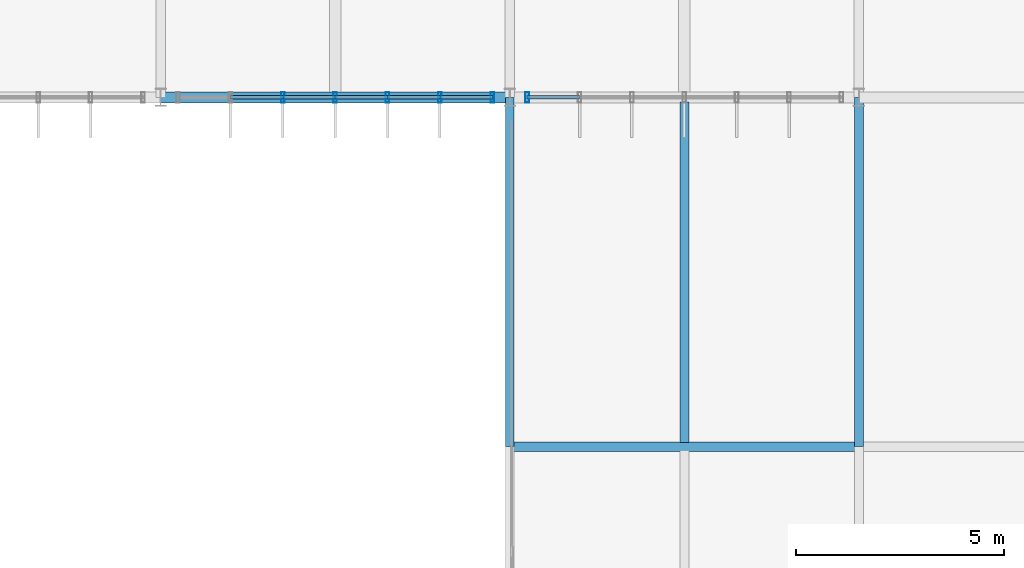
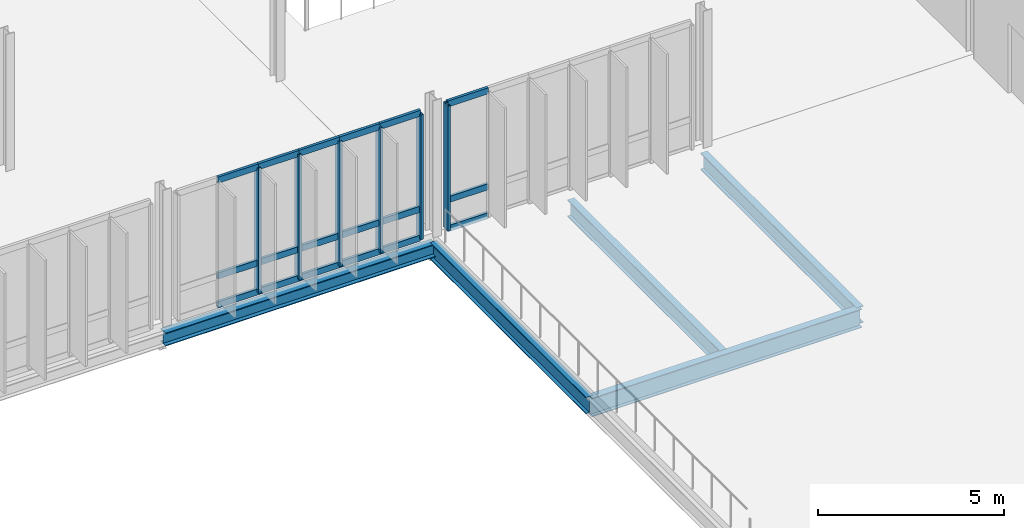
# One storey, part 22 of 139: 24 members, 5 beams, 2 elements without a shape of their own.
"""IFC4 building model written with IfcOpenShell, lengths in metres."""

from ifc_helpers import new_model, si_unit, derived_unit, direction, frame, origin, origin_2d, place, context, subcontext, project, spatial, hollow_rectangle, i_section, extrude, material, layer, layer_set, material_profile, profile_set, type_object, element, aggregate, save


model = new_model("IFC4")

# Units and contexts
model_context = context("Model", 3, precision=1e-05, world=origin(), true_north=direction((0.0, 1.0)))
body_context = subcontext(model_context, "Body", "Model", "MODEL_VIEW")
ifc_project = project(units=[si_unit("LENGTHUNIT", "METRE"), si_unit("AREAUNIT", "SQUARE_METRE"), si_unit("VOLUMEUNIT", "CUBIC_METRE"), si_unit("PLANEANGLEUNIT", "RADIAN"), si_unit("MASSUNIT", "GRAM", prefix="KILO"), derived_unit("THERMALTRANSMITTANCEUNIT", [(si_unit("MASSUNIT", "GRAM", prefix="KILO"), 1), (si_unit("TIMEUNIT", "SECOND"), -3), (si_unit("THERMODYNAMICTEMPERATUREUNIT", "KELVIN"), -1)])], contexts=[model_context])

# Site, building, storey
site_placement = place(None, origin())
site = spatial("IfcSite", under=ifc_project, at=site_placement, CompositionType="ELEMENT")
building_placement = place(site_placement, origin())
building = spatial("IfcBuilding", under=site, at=building_placement, Name="Makaiwela Harbour Ferry Terminal", CompositionType="ELEMENT")
storey_placement = place(building_placement, frame((0.0, 0.0, 5.10009765625)))
storey = spatial("IfcBuildingStorey", under=building, at=storey_placement, Name="L01", CompositionType="ELEMENT", Elevation=5.10009765625)

# Curtain wall, members
ifc_material_1 = material(Name="Marine anodised aluminium 6063-T6", Category="aluminium")
ifc_layer = layer(ifc_material_1, 0.199951171875)
ifc_layer_set = layer_set([ifc_layer], Name="Marine anodised aluminium 6063-T6")
curtain_wall_type = type_object("IfcCurtainWallType", Name="ENV-CW-08", PredefinedType="USERDEFINED", material=ifc_layer_set)
curtain_wall_1_placement = place(storey_placement, origin())
curtain_wall_1 = element("IfcCurtainWall", 1, at=curtain_wall_1_placement, inside=storey, type_object=curtain_wall_type, Name="Unitised Curtain Wall CWA-104", ObjectType="UNITIZED CURTAIN WALL", PredefinedType="USERDEFINED")
ifc_material_profile_1 = material_profile(ifc_material_1, hollow_rectangle(XDim=0.0849609375, YDim=0.25, WallThickness=0.0048828125, at=origin_2d()), Name="CWM-250X85")
ifc_profile_set_1 = profile_set([ifc_material_profile_1], Name="Marine anodised aluminium 6063-T6")
member_type_1 = type_object("IfcMemberType", Name="CW-MUL-250", PredefinedType="MULLION", material=ifc_profile_set_1)
member_1_placement = place(storey_placement, frame((54.179931640625, 25.199951171875, 0.0), z_axis=(0.0, 0.0, 1.0), x_axis=(1.0, 0.0, 0.0)))
member_1 = element("IfcMember", 2, at=member_1_placement, type_object=member_type_1, Name="Curtain Wall Mullion CWA-104-1", PredefinedType="MULLION", context=body_context, shape_type="SweptSolid", body=[
    extrude(hollow_rectangle(XDim=0.0849609375, YDim=0.25, WallThickness=0.0048828125, at=origin_2d()), origin(), (0.0, 0.0, 1.0), 4.099853515625),
])
member_2_placement = place(storey_placement, frame((52.919921875, 25.199951171875, 0.0), z_axis=(0.0, 0.0, 1.0), x_axis=(1.0, 0.0, 0.0)))
member_2 = element("IfcMember", 3, at=member_2_placement, type_object=member_type_1, Name="Curtain Wall Mullion CWA-104-2", PredefinedType="MULLION", context=body_context, shape_type="SweptSolid", body=[
    extrude(hollow_rectangle(XDim=0.0849609375, YDim=0.25, WallThickness=0.0048828125, at=origin_2d()), origin(), (0.0, 0.0, 1.0), 4.099853515625),
])
member_3_placement = place(storey_placement, frame((51.659912109375, 25.199951171875, 0.0), z_axis=(0.0, 0.0, 1.0), x_axis=(1.0, 0.0, 0.0)))
member_3 = element("IfcMember", 4, at=member_3_placement, type_object=member_type_1, Name="Curtain Wall Mullion CWA-104-3", PredefinedType="MULLION", context=body_context, shape_type="SweptSolid", body=[
    extrude(hollow_rectangle(XDim=0.0849609375, YDim=0.25, WallThickness=0.0048828125, at=origin_2d()), origin(), (0.0, 0.0, 1.0), 4.099853515625),
])
member_4_placement = place(storey_placement, frame((50.39990234375, 25.199951171875, 0.0), z_axis=(0.0, 0.0, 1.0), x_axis=(1.0, 0.0, 0.0)))
member_4 = element("IfcMember", 5, at=member_4_placement, type_object=member_type_1, Name="Curtain Wall Mullion CWA-104-4", PredefinedType="MULLION", context=body_context, shape_type="SweptSolid", body=[
    extrude(hollow_rectangle(XDim=0.0849609375, YDim=0.25, WallThickness=0.0048828125, at=origin_2d()), origin(), (0.0, 0.0, 1.0), 4.099853515625),
])
member_5_placement = place(storey_placement, frame((49.139892578125, 25.199951171875, 0.0), z_axis=(0.0, 0.0, 1.0), x_axis=(1.0, 0.0, 0.0)))
member_5 = element("IfcMember", 6, at=member_5_placement, type_object=member_type_1, Name="Curtain Wall Mullion CWA-104-5", PredefinedType="MULLION", context=body_context, shape_type="SweptSolid", body=[
    extrude(hollow_rectangle(XDim=0.0849609375, YDim=0.25, WallThickness=0.0048828125, at=origin_2d()), origin(), (0.0, 0.0, 1.0), 4.099853515625),
])

# Curtain wall, member
curtain_wall_2_placement = place(storey_placement, origin())
curtain_wall_2 = element("IfcCurtainWall", 7, at=curtain_wall_2_placement, inside=storey, type_object=curtain_wall_type, Name="Unitised Curtain Wall CWA-106", ObjectType="UNITIZED CURTAIN WALL", PredefinedType="USERDEFINED")
member_6_placement = place(storey_placement, frame((55.02001953125, 25.199951171875, 0.0), z_axis=(0.0, 0.0, 1.0), x_axis=(1.0, 0.0, 0.0)))
member_6 = element("IfcMember", 8, at=member_6_placement, type_object=member_type_1, Name="Curtain Wall Mullion CWA-106-7", PredefinedType="MULLION", context=body_context, shape_type="SweptSolid", body=[
    extrude(hollow_rectangle(XDim=0.0849609375, YDim=0.25, WallThickness=0.0048828125, at=origin_2d()), origin(), (0.0, 0.0, 1.0), 4.099853515625),
])

# Member
ifc_material_profile_2 = material_profile(ifc_material_1, hollow_rectangle(XDim=0.0849609375, YDim=0.199951171875, WallThickness=0.0048828125, at=origin_2d()), Name="CWT-200X85")
ifc_profile_set_2 = profile_set([ifc_material_profile_2], Name="Marine anodised aluminium 6063-T6")
member_type_2 = type_object("IfcMemberType", Name="CW-TRN-200", PredefinedType="USERDEFINED", material=ifc_profile_set_2)
member_7_placement = place(storey_placement, frame((54.179931640625, 25.199951171875, 0.0), z_axis=(-1.0, 0.0, 0.0), x_axis=(0.0, -1.0, 0.0)))
member_7 = element("IfcMember", 9, at=member_7_placement, type_object=member_type_2, Name="Curtain Wall Transom CWA-104-1-1", ObjectType="TRANSOM", PredefinedType="USERDEFINED", context=body_context, shape_type="SweptSolid", body=[
    extrude(hollow_rectangle(XDim=0.0849609375, YDim=0.199951171875, WallThickness=0.0048828125, at=origin_2d()), origin(), (0.0, 0.0, 1.0), 1.260009765625),
])

member_8_placement = place(storey_placement, frame((54.179931640625, 25.199951171875, 0.949951171875), z_axis=(-1.0, 0.0, 0.0), x_axis=(0.0, -1.0, 0.0)))
member_8 = element("IfcMember", 10, at=member_8_placement, type_object=member_type_2, Name="Curtain Wall Transom CWA-104-1-2", ObjectType="TRANSOM", PredefinedType="USERDEFINED", context=body_context, shape_type="SweptSolid", body=[
    extrude(hollow_rectangle(XDim=0.0849609375, YDim=0.199951171875, WallThickness=0.0048828125, at=origin_2d()), origin(), (0.0, 0.0, 1.0), 1.260009765625),
])

member_9_placement = place(storey_placement, frame((54.179931640625, 25.199951171875, 4.099853515625), z_axis=(-1.0, 0.0, 0.0), x_axis=(0.0, -1.0, 0.0)))
member_9 = element("IfcMember", 11, at=member_9_placement, type_object=member_type_2, Name="Curtain Wall Transom CWA-104-1-3", ObjectType="TRANSOM", PredefinedType="USERDEFINED", context=body_context, shape_type="SweptSolid", body=[
    extrude(hollow_rectangle(XDim=0.0849609375, YDim=0.199951171875, WallThickness=0.0048828125, at=origin_2d()), origin(), (0.0, 0.0, 1.0), 1.260009765625),
])

member_10_placement = place(storey_placement, frame((52.919921875, 25.199951171875, 0.0), z_axis=(-1.0, 0.0, 0.0), x_axis=(0.0, -1.0, 0.0)))
member_10 = element("IfcMember", 12, at=member_10_placement, type_object=member_type_2, Name="Curtain Wall Transom CWA-104-2-1", ObjectType="TRANSOM", PredefinedType="USERDEFINED", context=body_context, shape_type="SweptSolid", body=[
    extrude(hollow_rectangle(XDim=0.0849609375, YDim=0.199951171875, WallThickness=0.0048828125, at=origin_2d()), origin(), (0.0, 0.0, 1.0), 1.260009765625),
])

member_11_placement = place(storey_placement, frame((52.919921875, 25.199951171875, 0.949951171875), z_axis=(-1.0, 0.0, 0.0), x_axis=(0.0, -1.0, 0.0)))
member_11 = element("IfcMember", 13, at=member_11_placement, type_object=member_type_2, Name="Curtain Wall Transom CWA-104-2-2", ObjectType="TRANSOM", PredefinedType="USERDEFINED", context=body_context, shape_type="SweptSolid", body=[
    extrude(hollow_rectangle(XDim=0.0849609375, YDim=0.199951171875, WallThickness=0.0048828125, at=origin_2d()), origin(), (0.0, 0.0, 1.0), 1.260009765625),
])

member_12_placement = place(storey_placement, frame((52.919921875, 25.199951171875, 4.099853515625), z_axis=(-1.0, 0.0, 0.0), x_axis=(0.0, -1.0, 0.0)))
member_12 = element("IfcMember", 14, at=member_12_placement, type_object=member_type_2, Name="Curtain Wall Transom CWA-104-2-3", ObjectType="TRANSOM", PredefinedType="USERDEFINED", context=body_context, shape_type="SweptSolid", body=[
    extrude(hollow_rectangle(XDim=0.0849609375, YDim=0.199951171875, WallThickness=0.0048828125, at=origin_2d()), origin(), (0.0, 0.0, 1.0), 1.260009765625),
])

member_13_placement = place(storey_placement, frame((51.659912109375, 25.199951171875, 0.0), z_axis=(-1.0, 0.0, 0.0), x_axis=(0.0, -1.0, 0.0)))
member_13 = element("IfcMember", 15, at=member_13_placement, type_object=member_type_2, Name="Curtain Wall Transom CWA-104-3-1", ObjectType="TRANSOM", PredefinedType="USERDEFINED", context=body_context, shape_type="SweptSolid", body=[
    extrude(hollow_rectangle(XDim=0.0849609375, YDim=0.199951171875, WallThickness=0.0048828125, at=origin_2d()), origin(), (0.0, 0.0, 1.0), 1.260009765625),
])

member_14_placement = place(storey_placement, frame((51.659912109375, 25.199951171875, 0.949951171875), z_axis=(-1.0, 0.0, 0.0), x_axis=(0.0, -1.0, 0.0)))
member_14 = element("IfcMember", 16, at=member_14_placement, type_object=member_type_2, Name="Curtain Wall Transom CWA-104-3-2", ObjectType="TRANSOM", PredefinedType="USERDEFINED", context=body_context, shape_type="SweptSolid", body=[
    extrude(hollow_rectangle(XDim=0.0849609375, YDim=0.199951171875, WallThickness=0.0048828125, at=origin_2d()), origin(), (0.0, 0.0, 1.0), 1.260009765625),
])

member_15_placement = place(storey_placement, frame((51.659912109375, 25.199951171875, 4.099853515625), z_axis=(-1.0, 0.0, 0.0), x_axis=(0.0, -1.0, 0.0)))
member_15 = element("IfcMember", 17, at=member_15_placement, type_object=member_type_2, Name="Curtain Wall Transom CWA-104-3-3", ObjectType="TRANSOM", PredefinedType="USERDEFINED", context=body_context, shape_type="SweptSolid", body=[
    extrude(hollow_rectangle(XDim=0.0849609375, YDim=0.199951171875, WallThickness=0.0048828125, at=origin_2d()), origin(), (0.0, 0.0, 1.0), 1.260009765625),
])

member_16_placement = place(storey_placement, frame((50.39990234375, 25.199951171875, 0.0), z_axis=(-1.0, 0.0, 0.0), x_axis=(0.0, -1.0, 0.0)))
member_16 = element("IfcMember", 18, at=member_16_placement, type_object=member_type_2, Name="Curtain Wall Transom CWA-104-4-1", ObjectType="TRANSOM", PredefinedType="USERDEFINED", context=body_context, shape_type="SweptSolid", body=[
    extrude(hollow_rectangle(XDim=0.0849609375, YDim=0.199951171875, WallThickness=0.0048828125, at=origin_2d()), origin(), (0.0, 0.0, 1.0), 1.260009765625),
])

member_17_placement = place(storey_placement, frame((50.39990234375, 25.199951171875, 0.949951171875), z_axis=(-1.0, 0.0, 0.0), x_axis=(0.0, -1.0, 0.0)))
member_17 = element("IfcMember", 19, at=member_17_placement, type_object=member_type_2, Name="Curtain Wall Transom CWA-104-4-2", ObjectType="TRANSOM", PredefinedType="USERDEFINED", context=body_context, shape_type="SweptSolid", body=[
    extrude(hollow_rectangle(XDim=0.0849609375, YDim=0.199951171875, WallThickness=0.0048828125, at=origin_2d()), origin(), (0.0, 0.0, 1.0), 1.260009765625),
])

member_18_placement = place(storey_placement, frame((50.39990234375, 25.199951171875, 4.099853515625), z_axis=(-1.0, 0.0, 0.0), x_axis=(0.0, -1.0, 0.0)))
member_18 = element("IfcMember", 20, at=member_18_placement, type_object=member_type_2, Name="Curtain Wall Transom CWA-104-4-3", ObjectType="TRANSOM", PredefinedType="USERDEFINED", context=body_context, shape_type="SweptSolid", body=[
    extrude(hollow_rectangle(XDim=0.0849609375, YDim=0.199951171875, WallThickness=0.0048828125, at=origin_2d()), origin(), (0.0, 0.0, 1.0), 1.260009765625),
])

member_19_placement = place(storey_placement, frame((49.139892578125, 25.199951171875, 0.0), z_axis=(-1.0, 0.0, 0.0), x_axis=(0.0, -1.0, 0.0)))
member_19 = element("IfcMember", 21, at=member_19_placement, type_object=member_type_2, Name="Curtain Wall Transom CWA-104-5-1", ObjectType="TRANSOM", PredefinedType="USERDEFINED", context=body_context, shape_type="SweptSolid", body=[
    extrude(hollow_rectangle(XDim=0.0849609375, YDim=0.199951171875, WallThickness=0.0048828125, at=origin_2d()), origin(), (0.0, 0.0, 1.0), 1.260009765625),
])

member_20_placement = place(storey_placement, frame((49.139892578125, 25.199951171875, 0.949951171875), z_axis=(-1.0, 0.0, 0.0), x_axis=(0.0, -1.0, 0.0)))
member_20 = element("IfcMember", 22, at=member_20_placement, type_object=member_type_2, Name="Curtain Wall Transom CWA-104-5-2", ObjectType="TRANSOM", PredefinedType="USERDEFINED", context=body_context, shape_type="SweptSolid", body=[
    extrude(hollow_rectangle(XDim=0.0849609375, YDim=0.199951171875, WallThickness=0.0048828125, at=origin_2d()), origin(), (0.0, 0.0, 1.0), 1.260009765625),
])

member_21_placement = place(storey_placement, frame((49.139892578125, 25.199951171875, 4.099853515625), z_axis=(-1.0, 0.0, 0.0), x_axis=(0.0, -1.0, 0.0)))
member_21 = element("IfcMember", 23, at=member_21_placement, type_object=member_type_2, Name="Curtain Wall Transom CWA-104-5-3", ObjectType="TRANSOM", PredefinedType="USERDEFINED", context=body_context, shape_type="SweptSolid", body=[
    extrude(hollow_rectangle(XDim=0.0849609375, YDim=0.199951171875, WallThickness=0.0048828125, at=origin_2d()), origin(), (0.0, 0.0, 1.0), 1.260009765625),
])

aggregate(curtain_wall_1, [member_1, member_2, member_3, member_4, member_5, member_7, member_8, member_9, member_10, member_11, member_12, member_13, member_14, member_15, member_16, member_17, member_18, member_19, member_20, member_21])

member_22_placement = place(storey_placement, frame((56.280029296875, 25.199951171875, 0.0), z_axis=(-1.0, 0.0, 0.0), x_axis=(0.0, -1.0, 0.0)))
member_22 = element("IfcMember", 24, at=member_22_placement, type_object=member_type_2, Name="Curtain Wall Transom CWA-106-6-1", ObjectType="TRANSOM", PredefinedType="USERDEFINED", context=body_context, shape_type="SweptSolid", body=[
    extrude(hollow_rectangle(XDim=0.0849609375, YDim=0.199951171875, WallThickness=0.0048828125, at=origin_2d()), origin(), (0.0, 0.0, 1.0), 1.260009765625),
])

member_23_placement = place(storey_placement, frame((56.280029296875, 25.199951171875, 0.949951171875), z_axis=(-1.0, 0.0, 0.0), x_axis=(0.0, -1.0, 0.0)))
member_23 = element("IfcMember", 25, at=member_23_placement, type_object=member_type_2, Name="Curtain Wall Transom CWA-106-6-2", ObjectType="TRANSOM", PredefinedType="USERDEFINED", context=body_context, shape_type="SweptSolid", body=[
    extrude(hollow_rectangle(XDim=0.0849609375, YDim=0.199951171875, WallThickness=0.0048828125, at=origin_2d()), origin(), (0.0, 0.0, 1.0), 1.260009765625),
])

member_24_placement = place(storey_placement, frame((56.280029296875, 25.199951171875, 4.099853515625), z_axis=(-1.0, 0.0, 0.0), x_axis=(0.0, -1.0, 0.0)))
member_24 = element("IfcMember", 26, at=member_24_placement, type_object=member_type_2, Name="Curtain Wall Transom CWA-106-6-3", ObjectType="TRANSOM", PredefinedType="USERDEFINED", context=body_context, shape_type="SweptSolid", body=[
    extrude(hollow_rectangle(XDim=0.0849609375, YDim=0.199951171875, WallThickness=0.0048828125, at=origin_2d()), origin(), (0.0, 0.0, 1.0), 1.260009765625),
])

aggregate(curtain_wall_2, [member_6, member_22, member_23, member_24])

# Beams
ifc_material_2 = material(Name="Steel ASTM A992 Grade 50", Category="steel")
ifc_material_profile_3 = material_profile(ifc_material_2, i_section(OverallWidth=0.214111328125, OverallDepth=0.549072265625, WebThickness=0.0146484375, FlangeThickness=0.023681640625, at=origin_2d()), Name="W21X93")
ifc_profile_set_3 = profile_set([ifc_material_profile_3], Name="Steel ASTM A992 Grade 50")
beam_type_1 = type_object("IfcBeamType", Name="STR-BM-W21X93", PredefinedType="BEAM", material=ifc_profile_set_3)
for number, where, z_axis, x_axis, name in (
    (27, (54.60009765625, 16.800048828125, -0.5546875), (0.0, 1.0, 0.0), (-1.0, 0.0, 0.0), "Primary Y girder 918"),
    (28, (63.0, 16.800048828125, -0.5546875), (0.0, 1.0, 0.0), (-1.0, 0.0, 0.0), "Primary Y girder 924"),
):
    element("IfcBeam", number, at=place(storey_placement, frame(where, z_axis=z_axis, x_axis=x_axis)), inside=storey, type_object=beam_type_1, Name=name, PredefinedType="BEAM", context=body_context, shape_type="SweptSolid", body=[
        extrude(i_section(OverallWidth=0.214111328125, OverallDepth=0.549072265625, WebThickness=0.0146484375, FlangeThickness=0.023681640625, at=origin_2d()), origin(), (0.0, 0.0, 1.0), 8.39990234375),
    ])
beam_1_placement = place(storey_placement, frame((58.800048828125, 16.896484375, -0.5546875), z_axis=(0.0, 1.0, 0.0), x_axis=(-1.0, 0.0, 0.0)))
element("IfcBeam", 29, at=beam_1_placement, inside=storey, type_object=beam_type_1, Name="Secondary floor beam 1072", PredefinedType="BEAM", context=body_context, shape_type="SweptSolid", body=[
    extrude(i_section(OverallWidth=0.214111328125, OverallDepth=0.549072265625, WebThickness=0.0146484375, FlangeThickness=0.023681640625, at=origin_2d()), origin(), (0.0, 0.0, 1.0), 8.18896484375),
])
ifc_material_profile_4 = material_profile(ifc_material_2, i_section(OverallWidth=0.22900390625, OverallDepth=0.612060546875, WebThickness=0.011962890625, FlangeThickness=0.01953125, at=origin_2d()), Name="W24X84")
ifc_profile_set_4 = profile_set([ifc_material_profile_4], Name="Steel ASTM A992 Grade 50")
beam_type_2 = type_object("IfcBeamType", Name="STR-GRD-W24X84", PredefinedType="USERDEFINED", material=ifc_profile_set_4)
beam_2_placement = place(storey_placement, frame((54.60009765625, 16.800048828125, -0.586181640625), z_axis=(1.0, 0.0, 0.0), x_axis=(0.0, 1.0, 0.0)))
element("IfcBeam", 30, at=beam_2_placement, inside=storey, type_object=beam_type_2, Name="Primary X girder 740", ObjectType="GIRDER", PredefinedType="USERDEFINED", context=body_context, shape_type="SweptSolid", body=[
    extrude(i_section(OverallWidth=0.22900390625, OverallDepth=0.612060546875, WebThickness=0.011962890625, FlangeThickness=0.01953125, at=origin_2d()), origin(), (0.0, 0.0, 1.0), 8.39990234375),
])
ifc_material_profile_5 = material_profile(ifc_material_2, i_section(OverallWidth=0.264892578125, OverallDepth=0.430908203125, WebThickness=0.014892578125, FlangeThickness=0.02490234375, at=origin_2d()), Name="W16X100")
ifc_profile_set_5 = profile_set([ifc_material_profile_5], Name="Steel ASTM A992 Grade 50")
beam_type_3 = type_object("IfcBeamType", Name="STR-SPN-W16X100", PredefinedType="SPANDREL", material=ifc_profile_set_5)
beam_3_placement = place(storey_placement, frame((46.199951171875, 25.199951171875, -0.49560546875), z_axis=(1.0, 0.0, 0.0), x_axis=(0.0, 1.0, 0.0)))
element("IfcBeam", 31, at=beam_3_placement, inside=storey, type_object=beam_type_3, Name="Primary X girder 756", PredefinedType="SPANDREL", context=body_context, shape_type="SweptSolid", body=[
    extrude(i_section(OverallWidth=0.264892578125, OverallDepth=0.430908203125, WebThickness=0.014892578125, FlangeThickness=0.02490234375, at=origin_2d()), origin(), (0.0, 0.0, 1.0), 8.400146484375),
])

save(model, "model.ifc")
